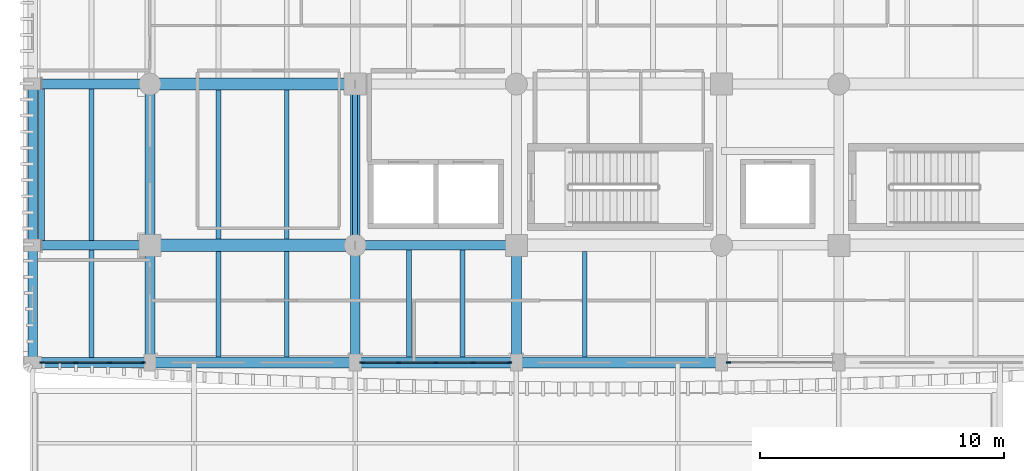
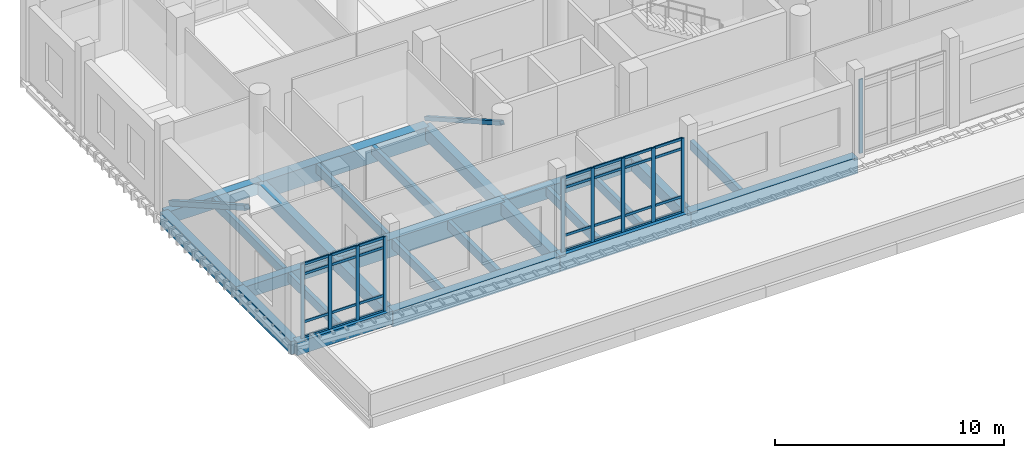
# One storey, part 30 of 125: 40 members, 25 beams, 3 elements without a shape of their own.
"""IFC4 building model written with IfcOpenShell, lengths in metres."""

from ifc_helpers import new_model, si_unit, direction, frame, origin, origin_2d, place, context, subcontext, project, spatial, rectangle, hollow_rectangle, extrude, material, material_profile, profile_set, type_object, element, aggregate, save


model = new_model("IFC4")

# Units and contexts
model_context = context("Model", 3, precision=1e-05, world=origin(), true_north=direction((0.0, 1.0)))
body_context = subcontext(model_context, "Body", "Model", "MODEL_VIEW")
ifc_project = project(units=[si_unit("LENGTHUNIT", "METRE"), si_unit("AREAUNIT", "SQUARE_METRE"), si_unit("VOLUMEUNIT", "CUBIC_METRE"), si_unit("PLANEANGLEUNIT", "RADIAN"), si_unit("MASSUNIT", "GRAM", prefix="KILO")], contexts=[model_context])

# Site, building, storey
site_placement = place(None, origin())
site = spatial("IfcSite", under=ifc_project, at=site_placement, CompositionType="ELEMENT")
building_placement = place(site_placement, origin())
building = spatial("IfcBuilding", under=site, at=building_placement, Name="Dornvale Research Institute", CompositionType="ELEMENT")
storey_placement = place(building_placement, frame((0.0, 0.0, 5.39990234375)))
storey = spatial("IfcBuildingStorey", under=building, at=storey_placement, Name="L01", CompositionType="ELEMENT", Elevation=5.39990234375)

# Beams
ifc_material_1 = material(Name="Concrete f'c 45 MPa (C35/45)", Category="concrete")
ifc_material_profile_1 = material_profile(ifc_material_1, rectangle(XDim=0.39990234375, YDim=0.64990234375, at=origin_2d()), Name="RC 400x650")
ifc_profile_set_1 = profile_set([ifc_material_profile_1], Name="Concrete f'c 45 MPa (C35/45)")
beam_type_1 = type_object("IfcBeamType", Name="Beam_RC400x650_Floor", PredefinedType="BEAM", material=ifc_profile_set_1)
beam_1_placement = place(storey_placement, frame((0.0, 103.800048828125, -0.324951171875), z_axis=(1.0, 0.0, 0.0), x_axis=(0.0, 1.0, 0.0)))
element("IfcBeam", 1, at=beam_1_placement, inside=storey, type_object=beam_type_1, Name="L01 primary girder #294", PredefinedType="BEAM", context=body_context, shape_type="SweptSolid", body=[
    extrude(rectangle(XDim=0.39990234375, YDim=0.64990234375, at=origin_2d()), origin(), (0.0, 0.0, 1.0), 4.800048828125),
])
beam_2_placement = place(storey_placement, frame((13.199951171875, 103.800048828125, -0.324951171875), z_axis=(1.0, 0.0, 0.0), x_axis=(0.0, 1.0, 0.0)))
element("IfcBeam", 2, at=beam_2_placement, inside=storey, type_object=beam_type_1, Name="L01 primary girder #296", PredefinedType="BEAM", context=body_context, shape_type="SweptSolid", body=[
    extrude(rectangle(XDim=0.39990234375, YDim=0.64990234375, at=origin_2d()), origin(), (0.0, 0.0, 1.0), 6.60009765625),
])
for number, where, z_axis, x_axis, name in (
    (3, (0.0, 110.39990234375, -0.324951171875), (1.0, 0.0, 0.0), (0.0, 1.0, 0.0), "L01 primary girder #301"),
    (4, (4.800048828125, 99.0, -0.324951171875), (0.0, 1.0, 0.0), (-1.0, 0.0, 0.0), "L01 transverse girder #326"),
):
    element("IfcBeam", number, at=place(storey_placement, frame(where, z_axis=z_axis, x_axis=x_axis)), inside=storey, type_object=beam_type_1, Name=name, PredefinedType="BEAM", context=body_context, shape_type="SweptSolid", body=[
        extrude(rectangle(XDim=0.39990234375, YDim=0.64990234375, at=origin_2d()), origin(), (0.0, 0.0, 1.0), 4.800048828125),
    ])
beam_3_placement = place(storey_placement, frame((4.800048828125, 103.800048828125, -0.324951171875), z_axis=(0.0, 1.0, 0.0), x_axis=(-1.0, 0.0, 0.0)))
element("IfcBeam", 5, at=beam_3_placement, inside=storey, type_object=beam_type_1, Name="L01 transverse girder #327", PredefinedType="BEAM", context=body_context, shape_type="SweptSolid", body=[
    extrude(rectangle(XDim=0.39990234375, YDim=0.64990234375, at=origin_2d()), origin(), (0.0, 0.0, 1.0), 6.599853515625),
])
beam_4_placement = place(storey_placement, frame((13.199951171875, 99.0, -0.324951171875), z_axis=(0.0, 1.0, 0.0), x_axis=(-1.0, 0.0, 0.0)))
element("IfcBeam", 6, at=beam_4_placement, inside=storey, type_object=beam_type_1, Name="L01 transverse girder #330", PredefinedType="BEAM", context=body_context, shape_type="SweptSolid", body=[
    extrude(rectangle(XDim=0.39990234375, YDim=0.64990234375, at=origin_2d()), origin(), (0.0, 0.0, 1.0), 4.800048828125),
])
beam_5_placement = place(storey_placement, frame((13.199951171875, 103.800048828125, -0.324951171875), z_axis=(0.0, 1.0, 0.0), x_axis=(-1.0, 0.0, 0.0)))
element("IfcBeam", 7, at=beam_5_placement, inside=storey, type_object=beam_type_1, Name="L01 transverse girder #331", PredefinedType="BEAM", context=body_context, shape_type="SweptSolid", body=[
    extrude(rectangle(XDim=0.39990234375, YDim=0.64990234375, at=origin_2d()), origin(), (0.0, 0.0, 1.0), 6.599853515625),
])
beam_6_placement = place(storey_placement, frame((19.800048828125, 99.0, -0.324951171875), z_axis=(0.0, 1.0, 0.0), x_axis=(-1.0, 0.0, 0.0)))
element("IfcBeam", 8, at=beam_6_placement, inside=storey, type_object=beam_type_1, Name="L01 transverse girder #334", PredefinedType="BEAM", context=body_context, shape_type="SweptSolid", body=[
    extrude(rectangle(XDim=0.39990234375, YDim=0.64990234375, at=origin_2d()), origin(), (0.0, 0.0, 1.0), 4.800048828125),
])
ifc_material_2 = material(Name="Concrete f'c 45 MPa (C35/45)", Category="concrete")
ifc_material_profile_2 = material_profile(ifc_material_2, rectangle(XDim=0.5, YDim=0.949951171875, at=origin_2d()), Name="RC 500x950")
ifc_profile_set_2 = profile_set([ifc_material_profile_2], Name="Concrete f'c 45 MPa (C35/45)")
beam_type_2 = type_object("IfcBeamType", Name="Beam_RC500x950_Girder", PredefinedType="BEAM", material=ifc_profile_set_2)
for number, where, z_axis, x_axis, name in (
    (9, (4.800048828125, 103.800048828125, -0.474853515625), (1.0, 0.0, 0.0), (0.0, 1.0, 0.0), "L01 primary girder #295"),
    (10, (4.800048828125, 110.39990234375, -0.474853515625), (1.0, 0.0, 0.0), (0.0, 1.0, 0.0), "L01 primary girder #302"),
):
    element("IfcBeam", number, at=place(storey_placement, frame(where, z_axis=z_axis, x_axis=x_axis)), inside=storey, type_object=beam_type_2, Name=name, PredefinedType="BEAM", context=body_context, shape_type="SweptSolid", body=[
        extrude(rectangle(XDim=0.5, YDim=0.949951171875, at=origin_2d()), origin(), (0.0, 0.0, 1.0), 8.39990234375),
    ])

# Members
ifc_material_3 = material(Name="Steel ASTM A500 Grade C", Category="steel")
ifc_material_profile_3 = material_profile(ifc_material_3, hollow_rectangle(XDim=0.202880859375, YDim=0.202880859375, WallThickness=0.0087890625, at=origin_2d()), Name="HSS203X203X9.5")
ifc_profile_set_3 = profile_set([ifc_material_profile_3], Name="Steel ASTM A500 Grade C")
member_type_1 = type_object("IfcMemberType", Name="Brace_HSS203X203_Int", PredefinedType="BRACE", material=ifc_profile_set_3)
member_1_placement = place(storey_placement, frame((13.199951171875, 110.39990234375, 0.300048828125), z_axis=(0.0, -0.869451847873, 0.494017696272), x_axis=(1.0, 0.0, 0.0)))
element("IfcMember", 11, at=member_1_placement, inside=storey, type_object=member_type_1, Name="L01 seismic diagonal brace #38", PredefinedType="BRACE", context=body_context, shape_type="SweptSolid", body=[
    extrude(hollow_rectangle(XDim=0.202880859375, YDim=0.202880859375, WallThickness=0.0087890625, at=origin_2d()), origin(), (0.0, 0.0, 1.0), 7.5908203125),
])
ifc_material_4 = material(Name="Steel ASTM A500 Grade C", Category="steel")
ifc_material_profile_4 = material_profile(ifc_material_4, hollow_rectangle(XDim=0.25390625, YDim=0.25390625, WallThickness=0.01171875, at=origin_2d()), Name="HSS254X254X12.7")
ifc_profile_set_4 = profile_set([ifc_material_profile_4], Name="Steel ASTM A500 Grade C")
member_type_2 = type_object("IfcMemberType", Name="Brace_HSS254X254_Int", PredefinedType="BRACE", material=ifc_profile_set_4)
member_2_placement = place(storey_placement, frame((0.360107421875, 110.39990234375, 0.300048828125), z_axis=(0.0, -0.869451847873, 0.494017696272), x_axis=(1.0, 0.0, 0.0)))
element("IfcMember", 12, at=member_2_placement, inside=storey, type_object=member_type_2, Name="L01 seismic diagonal brace #33", PredefinedType="BRACE", context=body_context, shape_type="SweptSolid", body=[
    extrude(hollow_rectangle(XDim=0.25390625, YDim=0.25390625, WallThickness=0.01171875, at=origin_2d()), origin(), (0.0, 0.0, 1.0), 7.5908203125),
])

# Beams
ifc_material_5 = material(Name="Concrete f'c 45 MPa (C35/45)", Category="concrete")
ifc_material_profile_5 = material_profile(ifc_material_5, rectangle(XDim=0.199951171875, YDim=0.485107421875, at=origin_2d()), Name="RC 200x485")
ifc_profile_set_5 = profile_set([ifc_material_profile_5], Name="Concrete f'c 45 MPa (C35/45)")
beam_type_3 = type_object("IfcBeamType", Name="Joist_RC200x485_Rib", PredefinedType="JOIST", material=ifc_profile_set_5)
beam_7_placement = place(storey_placement, frame((2.39990234375, 99.199951171875, -0.242431640625), z_axis=(0.0, 1.0, 0.0), x_axis=(-1.0, 0.0, 0.0)))
element("IfcBeam", 13, at=beam_7_placement, inside=storey, type_object=beam_type_3, Name="L01 laboratory waffle joist #139", PredefinedType="JOIST", context=body_context, shape_type="SweptSolid", body=[
    extrude(rectangle(XDim=0.199951171875, YDim=0.485107421875, at=origin_2d()), origin(), (0.0, 0.0, 1.0), 4.400146484375),
])
beam_8_placement = place(storey_placement, frame((2.39990234375, 104.0, -0.242431640625), z_axis=(0.0, 1.0, 0.0), x_axis=(-1.0, 0.0, 0.0)))
element("IfcBeam", 14, at=beam_8_placement, inside=storey, type_object=beam_type_3, Name="L01 laboratory waffle joist #140", PredefinedType="JOIST", context=body_context, shape_type="SweptSolid", body=[
    extrude(rectangle(XDim=0.199951171875, YDim=0.485107421875, at=origin_2d()), origin(), (0.0, 0.0, 1.0), 6.199951171875),
])
for number, where, z_axis, x_axis, name in (
    (15, (7.60009765625, 99.22509765625, -0.242431640625), (0.0, 1.0, 0.0), (-1.0, 0.0, 0.0), "L01 laboratory waffle joist #143"),
    (16, (10.39990234375, 99.22509765625, -0.242431640625), (0.0, 1.0, 0.0), (-1.0, 0.0, 0.0), "L01 laboratory waffle joist #144"),
):
    element("IfcBeam", number, at=place(storey_placement, frame(where, z_axis=z_axis, x_axis=x_axis)), inside=storey, type_object=beam_type_3, Name=name, PredefinedType="JOIST", context=body_context, shape_type="SweptSolid", body=[
        extrude(rectangle(XDim=0.199951171875, YDim=0.485107421875, at=origin_2d()), origin(), (0.0, 0.0, 1.0), 4.324951171875),
    ])
for number, where, z_axis, x_axis, name in (
    (17, (7.60009765625, 104.050048828125, -0.242431640625), (0.0, 1.0, 0.0), (-1.0, 0.0, 0.0), "L01 laboratory waffle joist #145"),
    (18, (10.39990234375, 104.050048828125, -0.242431640625), (0.0, 1.0, 0.0), (-1.0, 0.0, 0.0), "L01 laboratory waffle joist #146"),
):
    element("IfcBeam", number, at=place(storey_placement, frame(where, z_axis=z_axis, x_axis=x_axis)), inside=storey, type_object=beam_type_3, Name=name, PredefinedType="JOIST", context=body_context, shape_type="SweptSolid", body=[
        extrude(rectangle(XDim=0.199951171875, YDim=0.485107421875, at=origin_2d()), origin(), (0.0, 0.0, 1.0), 6.099853515625),
    ])
for number, where, z_axis, x_axis, name in (
    (19, (15.39990234375, 99.22509765625, -0.242431640625), (0.0, 1.0, 0.0), (-1.0, 0.0, 0.0), "L01 laboratory waffle joist #151"),
    (20, (17.60009765625, 99.22509765625, -0.242431640625), (0.0, 1.0, 0.0), (-1.0, 0.0, 0.0), "L01 laboratory waffle joist #152"),
):
    element("IfcBeam", number, at=place(storey_placement, frame(where, z_axis=z_axis, x_axis=x_axis)), inside=storey, type_object=beam_type_3, Name=name, PredefinedType="JOIST", context=body_context, shape_type="SweptSolid", body=[
        extrude(rectangle(XDim=0.199951171875, YDim=0.485107421875, at=origin_2d()), origin(), (0.0, 0.0, 1.0), 4.375),
    ])
beam_9_placement = place(storey_placement, frame((22.60009765625, 99.22509765625, -0.242431640625), z_axis=(0.0, 1.0, 0.0), x_axis=(-1.0, 0.0, 0.0)))
element("IfcBeam", 21, at=beam_9_placement, inside=storey, type_object=beam_type_3, Name="L01 laboratory waffle joist #157", PredefinedType="JOIST", context=body_context, shape_type="SweptSolid", body=[
    extrude(rectangle(XDim=0.199951171875, YDim=0.485107421875, at=origin_2d()), origin(), (0.0, 0.0, 1.0), 4.324951171875),
])

# Curtain wall, member
ifc_material_6 = material(Name="Low-E Argon Double Insulating Glazing Unit", Category="glass")
curtain_wall_type_1 = type_object("IfcCurtainWallType", Name="UnitisedCurtainWall_V5_4300x3950", PredefinedType="USERDEFINED", material=ifc_material_6)
curtain_wall_1_placement = place(storey_placement, origin())
curtain_wall_1 = element("IfcCurtainWall", 22, at=curtain_wall_1_placement, inside=storey, type_object=curtain_wall_type_1, Name="L01 V5 unitised curtain wall CW-25 #137", ObjectType="UNITISED CURTAIN WALL", PredefinedType="USERDEFINED")
ifc_material_7 = material(Name="Anodized Aluminum AA 6063-T6 Thermally Broken Frame", Category="aluminium")
ifc_material_profile_6 = material_profile(ifc_material_7, rectangle(XDim=0.06494140625, YDim=0.179931640625, at=origin_2d()), Name="ALU MULLION 65x180")
ifc_profile_set_6 = profile_set([ifc_material_profile_6], Name="Anodized Aluminum AA 6063-T6 Thermally Broken Frame")
member_type_3 = type_object("IfcMemberType", Name="Mullion_CW_65x180", PredefinedType="MULLION", material=ifc_profile_set_6)
member_3_placement = place(storey_placement, frame((28.482421875, 99.0, 0.0), z_axis=(0.0, 0.0, 1.0), x_axis=(0.0, -1.0, 0.0)))
member_3 = element("IfcMember", 23, at=member_3_placement, type_object=member_type_3, Name="CW-25 mullion 4", PredefinedType="MULLION", context=body_context, shape_type="SweptSolid", body=[
    extrude(rectangle(XDim=0.06494140625, YDim=0.179931640625, at=origin_2d()), origin(), (0.0, 0.0, 1.0), 3.9501953125),
])
aggregate(curtain_wall_1, [member_3])

# Curtain wall, members
ifc_material_8 = material(Name="Low-E Argon Double Insulating Glazing Unit", Category="glass")
curtain_wall_type_2 = type_object("IfcCurtainWallType", Name="UnitisedCurtainWall_V5_6100x3950", PredefinedType="USERDEFINED", material=ifc_material_8)
curtain_wall_2_placement = place(storey_placement, origin())
curtain_wall_2 = element("IfcCurtainWall", 24, at=curtain_wall_2_placement, inside=storey, type_object=curtain_wall_type_2, Name="L01 V5 unitised curtain wall CW-26 #138", ObjectType="UNITISED CURTAIN WALL", PredefinedType="USERDEFINED")
member_4_placement = place(storey_placement, frame((19.517578125, 99.0, 0.0), z_axis=(0.0, 0.0, 1.0), x_axis=(0.0, -1.0, 0.0)))
member_4 = element("IfcMember", 25, at=member_4_placement, type_object=member_type_3, Name="CW-26 mullion 1", PredefinedType="MULLION", context=body_context, shape_type="SweptSolid", body=[
    extrude(rectangle(XDim=0.06494140625, YDim=0.179931640625, at=origin_2d()), origin(), (0.0, 0.0, 1.0), 3.9501953125),
])
member_5_placement = place(storey_placement, frame((18.02490234375, 99.0, 0.0), z_axis=(0.0, 0.0, 1.0), x_axis=(0.0, -1.0, 0.0)))
member_5 = element("IfcMember", 26, at=member_5_placement, type_object=member_type_3, Name="CW-26 mullion 2", PredefinedType="MULLION", context=body_context, shape_type="SweptSolid", body=[
    extrude(rectangle(XDim=0.06494140625, YDim=0.179931640625, at=origin_2d()), origin(), (0.0, 0.0, 1.0), 3.9501953125),
])
member_6_placement = place(storey_placement, frame((16.5, 99.0, 0.0), z_axis=(0.0, 0.0, 1.0), x_axis=(0.0, -1.0, 0.0)))
member_6 = element("IfcMember", 27, at=member_6_placement, type_object=member_type_3, Name="CW-26 mullion 3", PredefinedType="MULLION", context=body_context, shape_type="SweptSolid", body=[
    extrude(rectangle(XDim=0.06494140625, YDim=0.179931640625, at=origin_2d()), origin(), (0.0, 0.0, 1.0), 3.9501953125),
])
member_7_placement = place(storey_placement, frame((14.97509765625, 99.0, 0.0), z_axis=(0.0, 0.0, 1.0), x_axis=(0.0, -1.0, 0.0)))
member_7 = element("IfcMember", 28, at=member_7_placement, type_object=member_type_3, Name="CW-26 mullion 4", PredefinedType="MULLION", context=body_context, shape_type="SweptSolid", body=[
    extrude(rectangle(XDim=0.06494140625, YDim=0.179931640625, at=origin_2d()), origin(), (0.0, 0.0, 1.0), 3.9501953125),
])
member_8_placement = place(storey_placement, frame((13.482421875, 99.0, 0.0), z_axis=(0.0, 0.0, 1.0), x_axis=(0.0, -1.0, 0.0)))
member_8 = element("IfcMember", 29, at=member_8_placement, type_object=member_type_3, Name="CW-26 mullion 5", PredefinedType="MULLION", context=body_context, shape_type="SweptSolid", body=[
    extrude(rectangle(XDim=0.06494140625, YDim=0.179931640625, at=origin_2d()), origin(), (0.0, 0.0, 1.0), 3.9501953125),
])

ifc_material_9 = material(Name="Low-E Argon Double Insulating Glazing Unit", Category="glass")
curtain_wall_type_3 = type_object("IfcCurtainWallType", Name="UnitisedCurtainWall_V5_4200x3950", PredefinedType="USERDEFINED", material=ifc_material_9)
curtain_wall_3_placement = place(storey_placement, origin())
curtain_wall_3 = element("IfcCurtainWall", 30, at=curtain_wall_3_placement, inside=storey, type_object=curtain_wall_type_3, Name="L01 V5 unitised curtain wall CW-27 #139", ObjectType="UNITISED CURTAIN WALL", PredefinedType="USERDEFINED")
member_9_placement = place(storey_placement, frame((4.517578125, 99.0, 0.0), z_axis=(0.0, 0.0, 1.0), x_axis=(0.0, -1.0, 0.0)))
member_9 = element("IfcMember", 31, at=member_9_placement, type_object=member_type_3, Name="CW-27 mullion 1", PredefinedType="MULLION", context=body_context, shape_type="SweptSolid", body=[
    extrude(rectangle(XDim=0.06494140625, YDim=0.179931640625, at=origin_2d()), origin(), (0.0, 0.0, 1.0), 3.9501953125),
])
member_10_placement = place(storey_placement, frame((3.14990234375, 99.0, 0.0), z_axis=(0.0, 0.0, 1.0), x_axis=(0.0, -1.0, 0.0)))
member_10 = element("IfcMember", 32, at=member_10_placement, type_object=member_type_3, Name="CW-27 mullion 2", PredefinedType="MULLION", context=body_context, shape_type="SweptSolid", body=[
    extrude(rectangle(XDim=0.06494140625, YDim=0.179931640625, at=origin_2d()), origin(), (0.0, 0.0, 1.0), 3.9501953125),
])
member_11_placement = place(storey_placement, frame((1.75, 99.0, 0.0), z_axis=(0.0, 0.0, 1.0), x_axis=(0.0, -1.0, 0.0)))
member_11 = element("IfcMember", 33, at=member_11_placement, type_object=member_type_3, Name="CW-27 mullion 3", PredefinedType="MULLION", context=body_context, shape_type="SweptSolid", body=[
    extrude(rectangle(XDim=0.06494140625, YDim=0.179931640625, at=origin_2d()), origin(), (0.0, 0.0, 1.0), 3.9501953125),
])
member_12_placement = place(storey_placement, frame((0.382568359375, 99.0, 0.0), z_axis=(0.0, 0.0, 1.0), x_axis=(0.0, -1.0, 0.0)))
member_12 = element("IfcMember", 34, at=member_12_placement, type_object=member_type_3, Name="CW-27 mullion 4", PredefinedType="MULLION", context=body_context, shape_type="SweptSolid", body=[
    extrude(rectangle(XDim=0.06494140625, YDim=0.179931640625, at=origin_2d()), origin(), (0.0, 0.0, 1.0), 3.9501953125),
])

# Beams
ifc_material_10 = material(Name="Concrete f'c 45 MPa (C35/45)", Category="concrete")
ifc_material_profile_7 = material_profile(ifc_material_10, rectangle(XDim=0.39990234375, YDim=0.699951171875, at=origin_2d()), Name="RC 400x700")
ifc_profile_set_7 = profile_set([ifc_material_profile_7], Name="Concrete f'c 45 MPa (C35/45)")
beam_type_4 = type_object("IfcBeamType", Name="Spandrel_RC400x700_Ext", PredefinedType="SPANDREL", material=ifc_profile_set_7)
for number, where, z_axis, x_axis, name in (
    (35, (0.0, 99.0, -0.349853515625), (1.0, 0.0, 0.0), (0.0, 1.0, 0.0), "L01 perimeter spandrel #287"),
    (36, (0.0, 99.0, -0.349853515625), (0.0, 1.0, 0.0), (-1.0, 0.0, 0.0), "L01 perimeter spandrel #322"),
):
    element("IfcBeam", number, at=place(storey_placement, frame(where, z_axis=z_axis, x_axis=x_axis)), inside=storey, type_object=beam_type_4, Name=name, PredefinedType="SPANDREL", context=body_context, shape_type="SweptSolid", body=[
        extrude(rectangle(XDim=0.39990234375, YDim=0.699951171875, at=origin_2d()), origin(), (0.0, 0.0, 1.0), 4.800048828125),
    ])
beam_10_placement = place(storey_placement, frame((0.0, 103.800048828125, -0.349853515625), z_axis=(0.0, 1.0, 0.0), x_axis=(-1.0, 0.0, 0.0)))
element("IfcBeam", 37, at=beam_10_placement, inside=storey, type_object=beam_type_4, Name="L01 perimeter spandrel #323", PredefinedType="SPANDREL", context=body_context, shape_type="SweptSolid", body=[
    extrude(rectangle(XDim=0.39990234375, YDim=0.699951171875, at=origin_2d()), origin(), (0.0, 0.0, 1.0), 6.599853515625),
])
ifc_material_11 = material(Name="Concrete f'c 45 MPa (C35/45)", Category="concrete")
ifc_material_profile_8 = material_profile(ifc_material_11, rectangle(XDim=0.449951171875, YDim=0.85009765625, at=origin_2d()), Name="RC 450x850")
ifc_profile_set_8 = profile_set([ifc_material_profile_8], Name="Concrete f'c 45 MPa (C35/45)")
beam_type_5 = type_object("IfcBeamType", Name="Spandrel_RC450x850_Ext", PredefinedType="SPANDREL", material=ifc_profile_set_8)
beam_11_placement = place(storey_placement, frame((4.800048828125, 99.0, -0.4248046875), z_axis=(1.0, 0.0, 0.0), x_axis=(0.0, 1.0, 0.0)))
element("IfcBeam", 38, at=beam_11_placement, inside=storey, type_object=beam_type_5, Name="L01 perimeter spandrel #288", PredefinedType="SPANDREL", context=body_context, shape_type="SweptSolid", body=[
    extrude(rectangle(XDim=0.449951171875, YDim=0.85009765625, at=origin_2d()), origin(), (0.0, 0.0, 1.0), 8.39990234375),
])
beam_12_placement = place(storey_placement, frame((13.199951171875, 99.0, -0.4248046875), z_axis=(1.0, 0.0, 0.0), x_axis=(0.0, 1.0, 0.0)))
element("IfcBeam", 39, at=beam_12_placement, inside=storey, type_object=beam_type_5, Name="L01 perimeter spandrel #289", PredefinedType="SPANDREL", context=body_context, shape_type="SweptSolid", body=[
    extrude(rectangle(XDim=0.449951171875, YDim=0.85009765625, at=origin_2d()), origin(), (0.0, 0.0, 1.0), 6.60009765625),
])
beam_13_placement = place(storey_placement, frame((19.800048828125, 99.0, -0.4248046875), z_axis=(1.0, 0.0, 0.0), x_axis=(0.0, 1.0, 0.0)))
element("IfcBeam", 40, at=beam_13_placement, inside=storey, type_object=beam_type_5, Name="L01 perimeter spandrel #290", PredefinedType="SPANDREL", context=body_context, shape_type="SweptSolid", body=[
    extrude(rectangle(XDim=0.449951171875, YDim=0.85009765625, at=origin_2d()), origin(), (0.0, 0.0, 1.0), 8.39990234375),
])

# Member
ifc_material_12 = material(Name="Anodized Aluminum AA 6063-T6 Thermally Broken Frame", Category="aluminium")
ifc_material_profile_9 = material_profile(ifc_material_12, rectangle(XDim=0.06494140625, YDim=0.135009765625, at=origin_2d()), Name="ALU TRANSOM 65x135")
ifc_profile_set_9 = profile_set([ifc_material_profile_9], Name="Anodized Aluminum AA 6063-T6 Thermally Broken Frame")
member_type_4 = type_object("IfcMemberType", Name="Transom_CW_65x135", PredefinedType="USERDEFINED", material=ifc_profile_set_9)
member_13_placement = place(storey_placement, frame((19.485107421875, 99.0, 0.03271484375), z_axis=(-1.0, 0.0, 0.0), x_axis=(0.0, -1.0, 0.0)))
member_13 = element("IfcMember", 41, at=member_13_placement, type_object=member_type_4, Name="CW-26 transom 1.1", ObjectType="TRANSOM", PredefinedType="USERDEFINED", context=body_context, shape_type="SweptSolid", body=[
    extrude(rectangle(XDim=0.06494140625, YDim=0.135009765625, at=origin_2d()), origin(), (0.0, 0.0, 1.0), 1.427490234375),
])

member_14_placement = place(storey_placement, frame((19.485107421875, 99.0, 0.85009765625), z_axis=(-1.0, 0.0, 0.0), x_axis=(0.0, -1.0, 0.0)))
member_14 = element("IfcMember", 42, at=member_14_placement, type_object=member_type_4, Name="CW-26 transom 1.2", ObjectType="TRANSOM", PredefinedType="USERDEFINED", context=body_context, shape_type="SweptSolid", body=[
    extrude(rectangle(XDim=0.06494140625, YDim=0.135009765625, at=origin_2d()), origin(), (0.0, 0.0, 1.0), 1.427490234375),
])

member_15_placement = place(storey_placement, frame((19.485107421875, 99.0, 3.400146484375), z_axis=(-1.0, 0.0, 0.0), x_axis=(0.0, -1.0, 0.0)))
member_15 = element("IfcMember", 43, at=member_15_placement, type_object=member_type_4, Name="CW-26 transom 1.3", ObjectType="TRANSOM", PredefinedType="USERDEFINED", context=body_context, shape_type="SweptSolid", body=[
    extrude(rectangle(XDim=0.06494140625, YDim=0.135009765625, at=origin_2d()), origin(), (0.0, 0.0, 1.0), 1.427490234375),
])

member_16_placement = place(storey_placement, frame((19.485107421875, 99.0, 3.91748046875), z_axis=(-1.0, 0.0, 0.0), x_axis=(0.0, -1.0, 0.0)))
member_16 = element("IfcMember", 44, at=member_16_placement, type_object=member_type_4, Name="CW-26 transom 1.4", ObjectType="TRANSOM", PredefinedType="USERDEFINED", context=body_context, shape_type="SweptSolid", body=[
    extrude(rectangle(XDim=0.06494140625, YDim=0.135009765625, at=origin_2d()), origin(), (0.0, 0.0, 1.0), 1.427490234375),
])

member_17_placement = place(storey_placement, frame((17.992431640625, 99.0, 0.03271484375), z_axis=(-1.0, 0.0, 0.0), x_axis=(0.0, -1.0, 0.0)))
member_17 = element("IfcMember", 45, at=member_17_placement, type_object=member_type_4, Name="CW-26 transom 2.1", ObjectType="TRANSOM", PredefinedType="USERDEFINED", context=body_context, shape_type="SweptSolid", body=[
    extrude(rectangle(XDim=0.06494140625, YDim=0.135009765625, at=origin_2d()), origin(), (0.0, 0.0, 1.0), 1.4599609375),
])

member_18_placement = place(storey_placement, frame((17.992431640625, 99.0, 0.85009765625), z_axis=(-1.0, 0.0, 0.0), x_axis=(0.0, -1.0, 0.0)))
member_18 = element("IfcMember", 46, at=member_18_placement, type_object=member_type_4, Name="CW-26 transom 2.2", ObjectType="TRANSOM", PredefinedType="USERDEFINED", context=body_context, shape_type="SweptSolid", body=[
    extrude(rectangle(XDim=0.06494140625, YDim=0.135009765625, at=origin_2d()), origin(), (0.0, 0.0, 1.0), 1.4599609375),
])

member_19_placement = place(storey_placement, frame((17.992431640625, 99.0, 3.400146484375), z_axis=(-1.0, 0.0, 0.0), x_axis=(0.0, -1.0, 0.0)))
member_19 = element("IfcMember", 47, at=member_19_placement, type_object=member_type_4, Name="CW-26 transom 2.3", ObjectType="TRANSOM", PredefinedType="USERDEFINED", context=body_context, shape_type="SweptSolid", body=[
    extrude(rectangle(XDim=0.06494140625, YDim=0.135009765625, at=origin_2d()), origin(), (0.0, 0.0, 1.0), 1.4599609375),
])

member_20_placement = place(storey_placement, frame((17.992431640625, 99.0, 3.91748046875), z_axis=(-1.0, 0.0, 0.0), x_axis=(0.0, -1.0, 0.0)))
member_20 = element("IfcMember", 48, at=member_20_placement, type_object=member_type_4, Name="CW-26 transom 2.4", ObjectType="TRANSOM", PredefinedType="USERDEFINED", context=body_context, shape_type="SweptSolid", body=[
    extrude(rectangle(XDim=0.06494140625, YDim=0.135009765625, at=origin_2d()), origin(), (0.0, 0.0, 1.0), 1.4599609375),
])

member_21_placement = place(storey_placement, frame((16.467529296875, 99.0, 0.03271484375), z_axis=(-1.0, 0.0, 0.0), x_axis=(0.0, -1.0, 0.0)))
member_21 = element("IfcMember", 49, at=member_21_placement, type_object=member_type_4, Name="CW-26 transom 3.1", ObjectType="TRANSOM", PredefinedType="USERDEFINED", context=body_context, shape_type="SweptSolid", body=[
    extrude(rectangle(XDim=0.06494140625, YDim=0.135009765625, at=origin_2d()), origin(), (0.0, 0.0, 1.0), 1.4599609375),
])

member_22_placement = place(storey_placement, frame((16.467529296875, 99.0, 0.85009765625), z_axis=(-1.0, 0.0, 0.0), x_axis=(0.0, -1.0, 0.0)))
member_22 = element("IfcMember", 50, at=member_22_placement, type_object=member_type_4, Name="CW-26 transom 3.2", ObjectType="TRANSOM", PredefinedType="USERDEFINED", context=body_context, shape_type="SweptSolid", body=[
    extrude(rectangle(XDim=0.06494140625, YDim=0.135009765625, at=origin_2d()), origin(), (0.0, 0.0, 1.0), 1.4599609375),
])

member_23_placement = place(storey_placement, frame((16.467529296875, 99.0, 3.400146484375), z_axis=(-1.0, 0.0, 0.0), x_axis=(0.0, -1.0, 0.0)))
member_23 = element("IfcMember", 51, at=member_23_placement, type_object=member_type_4, Name="CW-26 transom 3.3", ObjectType="TRANSOM", PredefinedType="USERDEFINED", context=body_context, shape_type="SweptSolid", body=[
    extrude(rectangle(XDim=0.06494140625, YDim=0.135009765625, at=origin_2d()), origin(), (0.0, 0.0, 1.0), 1.4599609375),
])

member_24_placement = place(storey_placement, frame((16.467529296875, 99.0, 3.91748046875), z_axis=(-1.0, 0.0, 0.0), x_axis=(0.0, -1.0, 0.0)))
member_24 = element("IfcMember", 52, at=member_24_placement, type_object=member_type_4, Name="CW-26 transom 3.4", ObjectType="TRANSOM", PredefinedType="USERDEFINED", context=body_context, shape_type="SweptSolid", body=[
    extrude(rectangle(XDim=0.06494140625, YDim=0.135009765625, at=origin_2d()), origin(), (0.0, 0.0, 1.0), 1.4599609375),
])

member_25_placement = place(storey_placement, frame((14.9423828125, 99.0, 0.03271484375), z_axis=(-1.0, 0.0, 0.0), x_axis=(0.0, -1.0, 0.0)))
member_25 = element("IfcMember", 53, at=member_25_placement, type_object=member_type_4, Name="CW-26 transom 4.1", ObjectType="TRANSOM", PredefinedType="USERDEFINED", context=body_context, shape_type="SweptSolid", body=[
    extrude(rectangle(XDim=0.06494140625, YDim=0.135009765625, at=origin_2d()), origin(), (0.0, 0.0, 1.0), 1.427490234375),
])

member_26_placement = place(storey_placement, frame((14.9423828125, 99.0, 0.85009765625), z_axis=(-1.0, 0.0, 0.0), x_axis=(0.0, -1.0, 0.0)))
member_26 = element("IfcMember", 54, at=member_26_placement, type_object=member_type_4, Name="CW-26 transom 4.2", ObjectType="TRANSOM", PredefinedType="USERDEFINED", context=body_context, shape_type="SweptSolid", body=[
    extrude(rectangle(XDim=0.06494140625, YDim=0.135009765625, at=origin_2d()), origin(), (0.0, 0.0, 1.0), 1.427490234375),
])

member_27_placement = place(storey_placement, frame((14.9423828125, 99.0, 3.400146484375), z_axis=(-1.0, 0.0, 0.0), x_axis=(0.0, -1.0, 0.0)))
member_27 = element("IfcMember", 55, at=member_27_placement, type_object=member_type_4, Name="CW-26 transom 4.3", ObjectType="TRANSOM", PredefinedType="USERDEFINED", context=body_context, shape_type="SweptSolid", body=[
    extrude(rectangle(XDim=0.06494140625, YDim=0.135009765625, at=origin_2d()), origin(), (0.0, 0.0, 1.0), 1.427490234375),
])

member_28_placement = place(storey_placement, frame((14.9423828125, 99.0, 3.91748046875), z_axis=(-1.0, 0.0, 0.0), x_axis=(0.0, -1.0, 0.0)))
member_28 = element("IfcMember", 56, at=member_28_placement, type_object=member_type_4, Name="CW-26 transom 4.4", ObjectType="TRANSOM", PredefinedType="USERDEFINED", context=body_context, shape_type="SweptSolid", body=[
    extrude(rectangle(XDim=0.06494140625, YDim=0.135009765625, at=origin_2d()), origin(), (0.0, 0.0, 1.0), 1.427490234375),
])

aggregate(curtain_wall_2, [member_4, member_5, member_6, member_7, member_8, member_13, member_14, member_15, member_16, member_17, member_18, member_19, member_20, member_21, member_22, member_23, member_24, member_25, member_26, member_27, member_28])

member_29_placement = place(storey_placement, frame((4.485107421875, 99.0, 0.03271484375), z_axis=(-1.0, 0.0, 0.0), x_axis=(0.0, -1.0, 0.0)))
member_29 = element("IfcMember", 57, at=member_29_placement, type_object=member_type_4, Name="CW-27 transom 1.1", ObjectType="TRANSOM", PredefinedType="USERDEFINED", context=body_context, shape_type="SweptSolid", body=[
    extrude(rectangle(XDim=0.06494140625, YDim=0.135009765625, at=origin_2d()), origin(), (0.0, 0.0, 1.0), 1.302490234375),
])

member_30_placement = place(storey_placement, frame((4.485107421875, 99.0, 0.85009765625), z_axis=(-1.0, 0.0, 0.0), x_axis=(0.0, -1.0, 0.0)))
member_30 = element("IfcMember", 58, at=member_30_placement, type_object=member_type_4, Name="CW-27 transom 1.2", ObjectType="TRANSOM", PredefinedType="USERDEFINED", context=body_context, shape_type="SweptSolid", body=[
    extrude(rectangle(XDim=0.06494140625, YDim=0.135009765625, at=origin_2d()), origin(), (0.0, 0.0, 1.0), 1.302490234375),
])

member_31_placement = place(storey_placement, frame((4.485107421875, 99.0, 3.400146484375), z_axis=(-1.0, 0.0, 0.0), x_axis=(0.0, -1.0, 0.0)))
member_31 = element("IfcMember", 59, at=member_31_placement, type_object=member_type_4, Name="CW-27 transom 1.3", ObjectType="TRANSOM", PredefinedType="USERDEFINED", context=body_context, shape_type="SweptSolid", body=[
    extrude(rectangle(XDim=0.06494140625, YDim=0.135009765625, at=origin_2d()), origin(), (0.0, 0.0, 1.0), 1.302490234375),
])

member_32_placement = place(storey_placement, frame((4.485107421875, 99.0, 3.91748046875), z_axis=(-1.0, 0.0, 0.0), x_axis=(0.0, -1.0, 0.0)))
member_32 = element("IfcMember", 60, at=member_32_placement, type_object=member_type_4, Name="CW-27 transom 1.4", ObjectType="TRANSOM", PredefinedType="USERDEFINED", context=body_context, shape_type="SweptSolid", body=[
    extrude(rectangle(XDim=0.06494140625, YDim=0.135009765625, at=origin_2d()), origin(), (0.0, 0.0, 1.0), 1.302490234375),
])

member_33_placement = place(storey_placement, frame((3.117431640625, 99.0, 0.03271484375), z_axis=(-1.0, 0.0, 0.0), x_axis=(0.0, -1.0, 0.0)))
member_33 = element("IfcMember", 61, at=member_33_placement, type_object=member_type_4, Name="CW-27 transom 2.1", ObjectType="TRANSOM", PredefinedType="USERDEFINED", context=body_context, shape_type="SweptSolid", body=[
    extrude(rectangle(XDim=0.06494140625, YDim=0.135009765625, at=origin_2d()), origin(), (0.0, 0.0, 1.0), 1.3349609375),
])

member_34_placement = place(storey_placement, frame((3.117431640625, 99.0, 0.85009765625), z_axis=(-1.0, 0.0, 0.0), x_axis=(0.0, -1.0, 0.0)))
member_34 = element("IfcMember", 62, at=member_34_placement, type_object=member_type_4, Name="CW-27 transom 2.2", ObjectType="TRANSOM", PredefinedType="USERDEFINED", context=body_context, shape_type="SweptSolid", body=[
    extrude(rectangle(XDim=0.06494140625, YDim=0.135009765625, at=origin_2d()), origin(), (0.0, 0.0, 1.0), 1.3349609375),
])

member_35_placement = place(storey_placement, frame((3.117431640625, 99.0, 3.400146484375), z_axis=(-1.0, 0.0, 0.0), x_axis=(0.0, -1.0, 0.0)))
member_35 = element("IfcMember", 63, at=member_35_placement, type_object=member_type_4, Name="CW-27 transom 2.3", ObjectType="TRANSOM", PredefinedType="USERDEFINED", context=body_context, shape_type="SweptSolid", body=[
    extrude(rectangle(XDim=0.06494140625, YDim=0.135009765625, at=origin_2d()), origin(), (0.0, 0.0, 1.0), 1.3349609375),
])

member_36_placement = place(storey_placement, frame((3.117431640625, 99.0, 3.91748046875), z_axis=(-1.0, 0.0, 0.0), x_axis=(0.0, -1.0, 0.0)))
member_36 = element("IfcMember", 64, at=member_36_placement, type_object=member_type_4, Name="CW-27 transom 2.4", ObjectType="TRANSOM", PredefinedType="USERDEFINED", context=body_context, shape_type="SweptSolid", body=[
    extrude(rectangle(XDim=0.06494140625, YDim=0.135009765625, at=origin_2d()), origin(), (0.0, 0.0, 1.0), 1.3349609375),
])

member_37_placement = place(storey_placement, frame((1.717529296875, 99.0, 0.03271484375), z_axis=(-1.0, 0.0, 0.0), x_axis=(0.0, -1.0, 0.0)))
member_37 = element("IfcMember", 65, at=member_37_placement, type_object=member_type_4, Name="CW-27 transom 3.1", ObjectType="TRANSOM", PredefinedType="USERDEFINED", context=body_context, shape_type="SweptSolid", body=[
    extrude(rectangle(XDim=0.06494140625, YDim=0.135009765625, at=origin_2d()), origin(), (0.0, 0.0, 1.0), 1.302490234375),
])

member_38_placement = place(storey_placement, frame((1.717529296875, 99.0, 0.85009765625), z_axis=(-1.0, 0.0, 0.0), x_axis=(0.0, -1.0, 0.0)))
member_38 = element("IfcMember", 66, at=member_38_placement, type_object=member_type_4, Name="CW-27 transom 3.2", ObjectType="TRANSOM", PredefinedType="USERDEFINED", context=body_context, shape_type="SweptSolid", body=[
    extrude(rectangle(XDim=0.06494140625, YDim=0.135009765625, at=origin_2d()), origin(), (0.0, 0.0, 1.0), 1.302490234375),
])

member_39_placement = place(storey_placement, frame((1.717529296875, 99.0, 3.400146484375), z_axis=(-1.0, 0.0, 0.0), x_axis=(0.0, -1.0, 0.0)))
member_39 = element("IfcMember", 67, at=member_39_placement, type_object=member_type_4, Name="CW-27 transom 3.3", ObjectType="TRANSOM", PredefinedType="USERDEFINED", context=body_context, shape_type="SweptSolid", body=[
    extrude(rectangle(XDim=0.06494140625, YDim=0.135009765625, at=origin_2d()), origin(), (0.0, 0.0, 1.0), 1.302490234375),
])

member_40_placement = place(storey_placement, frame((1.717529296875, 99.0, 3.91748046875), z_axis=(-1.0, 0.0, 0.0), x_axis=(0.0, -1.0, 0.0)))
member_40 = element("IfcMember", 68, at=member_40_placement, type_object=member_type_4, Name="CW-27 transom 3.4", ObjectType="TRANSOM", PredefinedType="USERDEFINED", context=body_context, shape_type="SweptSolid", body=[
    extrude(rectangle(XDim=0.06494140625, YDim=0.135009765625, at=origin_2d()), origin(), (0.0, 0.0, 1.0), 1.302490234375),
])

aggregate(curtain_wall_3, [member_9, member_10, member_11, member_12, member_29, member_30, member_31, member_32, member_33, member_34, member_35, member_36, member_37, member_38, member_39, member_40])

save(model, "model.ifc")
